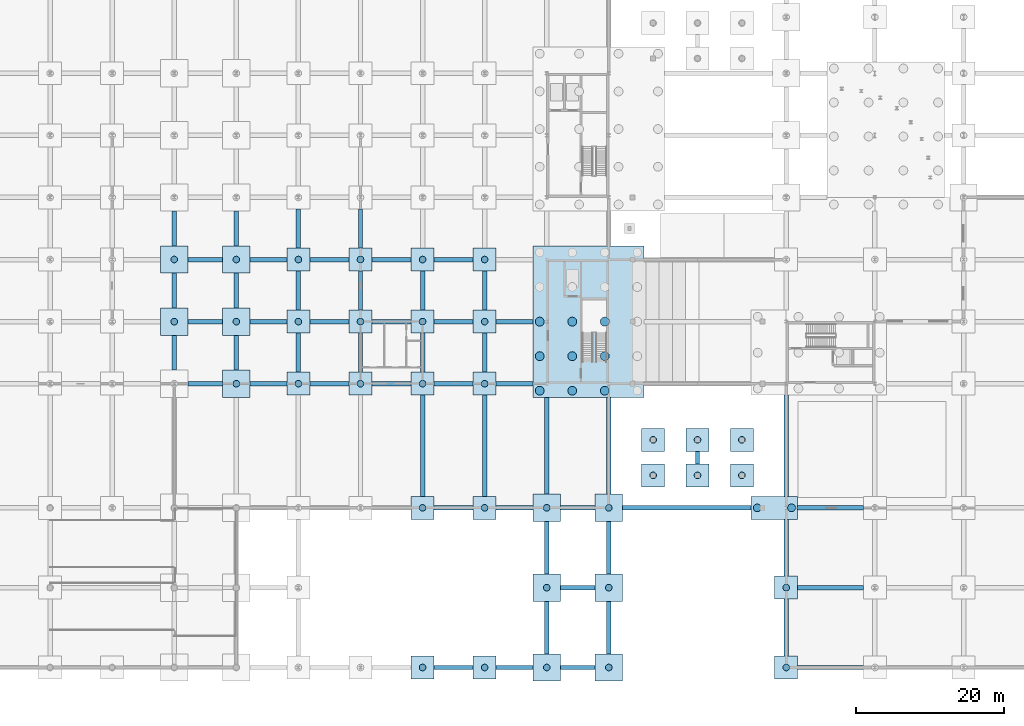
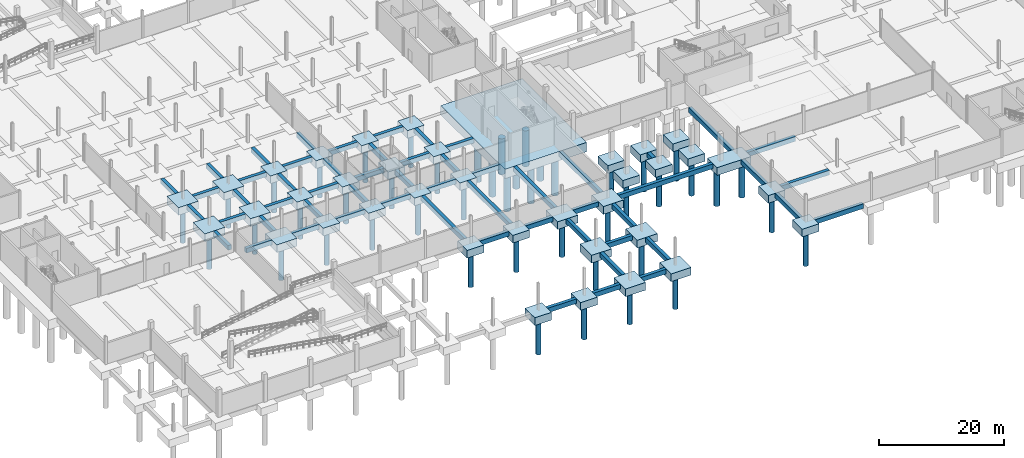
# One storey, part 2 of 36: 93 footings, 46 piles.
"""IFC4 building model written with IfcOpenShell, lengths in metres."""

from ifc_helpers import new_model, si_unit, direction, frame, origin, origin_2d, place, context, subcontext, project, spatial, rectangle, circle, extrude, material, material_profile, profile_set, type_object, element, save


model = new_model("IFC4")

# Units and contexts
model_context = context("Model", 3, precision=1e-05, world=origin(), true_north=direction((0.0, 1.0)))
body_context = subcontext(model_context, "Body", "Model", "MODEL_VIEW")
ifc_project = project(units=[si_unit("LENGTHUNIT", "METRE"), si_unit("AREAUNIT", "SQUARE_METRE"), si_unit("VOLUMEUNIT", "CUBIC_METRE"), si_unit("PLANEANGLEUNIT", "RADIAN"), si_unit("MASSUNIT", "GRAM", prefix="KILO"), si_unit("THERMODYNAMICTEMPERATUREUNIT", "KELVIN"), si_unit("POWERUNIT", "WATT")], contexts=[model_context])

# Site, building, storey
site_placement = place(None, origin())
site = spatial("IfcSite", under=ifc_project, at=site_placement, CompositionType="ELEMENT")
building_placement = place(site_placement, origin())
building = spatial("IfcBuilding", under=site, at=building_placement, Name="Tembeka Court Mobility Hub", CompositionType="ELEMENT")
storey_placement = place(building_placement, frame((0.0, 0.0, -5.39990234375)))
storey = spatial("IfcBuildingStorey", under=building, at=storey_placement, Name="B1", CompositionType="ELEMENT", Elevation=-5.39990234375)

# Footings
ifc_material = material(Name="Concrete C40/50", Category="concrete")
footing_type_1 = type_object("IfcFootingType", Name="FT-GB01", PredefinedType="FOOTING_BEAM", material=ifc_material)
footing_1_placement = place(storey_placement, frame((71.39990234375, 0.0, -0.900146484375), z_axis=(0.0, 0.0, 1.0), x_axis=(1.0, 0.0, 0.0)))
element("IfcFooting", 1, at=footing_1_placement, inside=storey, type_object=footing_type_1, Name="Ground tie beam GB01 X-009", PredefinedType="FOOTING_BEAM", context=body_context, shape_type="SweptSolid", body=[
    extrude(rectangle(XDim=5.300048828125, YDim=0.60009765625, at=origin_2d()), origin(), (0.0, 0.0, 1.0), 0.89990234375),
])
footing_2_placement = place(storey_placement, frame((79.64990234375, 0.0, -0.900146484375), z_axis=(0.0, 0.0, 1.0), x_axis=(1.0, 0.0, 0.0)))
element("IfcFooting", 2, at=footing_2_placement, inside=storey, type_object=footing_type_1, Name="Ground tie beam GB01 X-010", PredefinedType="FOOTING_BEAM", context=body_context, shape_type="SweptSolid", body=[
    extrude(rectangle(XDim=5.0, YDim=0.60009765625, at=origin_2d()), origin(), (0.0, 0.0, 1.0), 0.89990234375),
])
footing_3_placement = place(storey_placement, frame((88.199951171875, 0.0, -0.900146484375), z_axis=(0.0, 0.0, 1.0), x_axis=(1.0, 0.0, 0.0)))
element("IfcFooting", 3, at=footing_3_placement, inside=storey, type_object=footing_type_1, Name="Ground tie beam GB01 X-011", PredefinedType="FOOTING_BEAM", context=body_context, shape_type="SweptSolid", body=[
    extrude(rectangle(XDim=4.699951171875, YDim=0.60009765625, at=origin_2d()), origin(), (0.0, 0.0, 1.0), 0.89990234375),
])
footing_4_placement = place(storey_placement, frame((122.39990234375, 0.0, -0.900146484375), z_axis=(0.0, 0.0, 1.0), x_axis=(1.0, 0.0, 0.0)))
element("IfcFooting", 4, at=footing_4_placement, inside=storey, type_object=footing_type_1, Name="Ground tie beam GB01 X-012", PredefinedType="FOOTING_BEAM", context=body_context, shape_type="SweptSolid", body=[
    extrude(rectangle(XDim=8.89990234375, YDim=0.60009765625, at=origin_2d()), origin(), (0.0, 0.0, 1.0), 0.89990234375),
])
footing_5_placement = place(storey_placement, frame((88.199951171875, 10.800048828125, -0.900146484375), z_axis=(0.0, 0.0, 1.0), x_axis=(1.0, 0.0, 0.0)))
element("IfcFooting", 5, at=footing_5_placement, inside=storey, type_object=footing_type_1, Name="Ground tie beam GB01 X-021", PredefinedType="FOOTING_BEAM", context=body_context, shape_type="SweptSolid", body=[
    extrude(rectangle(XDim=4.699951171875, YDim=0.60009765625, at=origin_2d()), origin(), (0.0, 0.0, 1.0), 0.89990234375),
])
footing_6_placement = place(storey_placement, frame((122.39990234375, 10.800048828125, -0.900146484375), z_axis=(0.0, 0.0, 1.0), x_axis=(1.0, 0.0, 0.0)))
element("IfcFooting", 6, at=footing_6_placement, inside=storey, type_object=footing_type_1, Name="Ground tie beam GB01 X-022", PredefinedType="FOOTING_BEAM", context=body_context, shape_type="SweptSolid", body=[
    extrude(rectangle(XDim=8.89990234375, YDim=0.60009765625, at=origin_2d()), origin(), (0.0, 0.0, 1.0), 0.89990234375),
])
footing_7_placement = place(storey_placement, frame((71.39990234375, 21.60009765625, -0.900146484375), z_axis=(0.0, 0.0, 1.0), x_axis=(1.0, 0.0, 0.0)))
element("IfcFooting", 7, at=footing_7_placement, inside=storey, type_object=footing_type_1, Name="Ground tie beam GB01 X-034", PredefinedType="FOOTING_BEAM", context=body_context, shape_type="SweptSolid", body=[
    extrude(rectangle(XDim=5.300048828125, YDim=0.60009765625, at=origin_2d()), origin(), (0.0, 0.0, 1.0), 0.89990234375),
])
footing_8_placement = place(storey_placement, frame((79.64990234375, 21.60009765625, -0.900146484375), z_axis=(0.0, 0.0, 1.0), x_axis=(1.0, 0.0, 0.0)))
element("IfcFooting", 8, at=footing_8_placement, inside=storey, type_object=footing_type_1, Name="Ground tie beam GB01 X-035", PredefinedType="FOOTING_BEAM", context=body_context, shape_type="SweptSolid", body=[
    extrude(rectangle(XDim=5.0, YDim=0.60009765625, at=origin_2d()), origin(), (0.0, 0.0, 1.0), 0.89990234375),
])
footing_9_placement = place(storey_placement, frame((88.199951171875, 21.60009765625, -0.900146484375), z_axis=(0.0, 0.0, 1.0), x_axis=(1.0, 0.0, 0.0)))
element("IfcFooting", 9, at=footing_9_placement, inside=storey, type_object=footing_type_1, Name="Ground tie beam GB01 X-036", PredefinedType="FOOTING_BEAM", context=body_context, shape_type="SweptSolid", body=[
    extrude(rectangle(XDim=4.699951171875, YDim=0.60009765625, at=origin_2d()), origin(), (0.0, 0.0, 1.0), 0.89990234375),
])
footing_10_placement = place(storey_placement, frame((102.949951171875, 21.60009765625, -0.900146484375), z_axis=(0.0, 0.0, 1.0), x_axis=(1.0, 0.0, 0.0)))
element("IfcFooting", 10, at=footing_10_placement, inside=storey, type_object=footing_type_1, Name="Ground tie beam GB01 X-037", PredefinedType="FOOTING_BEAM", context=body_context, shape_type="SweptSolid", body=[
    extrude(rectangle(XDim=17.39990234375, YDim=0.60009765625, at=origin_2d()), origin(), (0.0, 0.0, 1.0), 0.89990234375),
])
footing_11_placement = place(storey_placement, frame((122.39990234375, 21.60009765625, -0.900146484375), z_axis=(0.0, 0.0, 1.0), x_axis=(1.0, 0.0, 0.0)))
element("IfcFooting", 11, at=footing_11_placement, inside=storey, type_object=footing_type_1, Name="Ground tie beam GB01 X-038", PredefinedType="FOOTING_BEAM", context=body_context, shape_type="SweptSolid", body=[
    extrude(rectangle(XDim=8.89990234375, YDim=0.60009765625, at=origin_2d()), origin(), (0.0, 0.0, 1.0), 0.89990234375),
])
footing_12_placement = place(storey_placement, frame((37.800048828125, 38.39990234375, -0.900146484375), z_axis=(0.0, 0.0, 1.0), x_axis=(1.0, 0.0, 0.0)))
element("IfcFooting", 12, at=footing_12_placement, inside=storey, type_object=footing_type_1, Name="Ground tie beam GB01 X-046", PredefinedType="FOOTING_BEAM", context=body_context, shape_type="SweptSolid", body=[
    extrude(rectangle(XDim=4.699951171875, YDim=0.60009765625, at=origin_2d()), origin(), (0.0, 0.0, 1.0), 0.89990234375),
])
footing_13_placement = place(storey_placement, frame((46.35009765625, 38.39990234375, -0.900146484375), z_axis=(0.0, 0.0, 1.0), x_axis=(1.0, 0.0, 0.0)))
element("IfcFooting", 13, at=footing_13_placement, inside=storey, type_object=footing_type_1, Name="Ground tie beam GB01 X-047", PredefinedType="FOOTING_BEAM", context=body_context, shape_type="SweptSolid", body=[
    extrude(rectangle(XDim=5.0, YDim=0.60009765625, at=origin_2d()), origin(), (0.0, 0.0, 1.0), 0.89990234375),
])
for number, where, z_axis, x_axis, name in (
    (14, (54.60009765625, 38.39990234375, -0.900146484375), (0.0, 0.0, 1.0), (1.0, 0.0, 0.0), "Ground tie beam GB01 X-048"),
    (15, (63.0, 38.39990234375, -0.900146484375), (0.0, 0.0, 1.0), (1.0, 0.0, 0.0), "Ground tie beam GB01 X-049"),
    (16, (71.39990234375, 38.39990234375, -0.900146484375), (0.0, 0.0, 1.0), (1.0, 0.0, 0.0), "Ground tie beam GB01 X-050"),
):
    element("IfcFooting", number, at=place(storey_placement, frame(where, z_axis=z_axis, x_axis=x_axis)), inside=storey, type_object=footing_type_1, Name=name, PredefinedType="FOOTING_BEAM", context=body_context, shape_type="SweptSolid", body=[
        extrude(rectangle(XDim=5.300048828125, YDim=0.60009765625, at=origin_2d()), origin(), (0.0, 0.0, 1.0), 0.89990234375),
    ])
footing_14_placement = place(storey_placement, frame((79.64990234375, 38.39990234375, -0.900146484375), z_axis=(0.0, 0.0, 1.0), x_axis=(1.0, 0.0, 0.0)))
element("IfcFooting", 17, at=footing_14_placement, inside=storey, type_object=footing_type_1, Name="Ground tie beam GB01 X-051", PredefinedType="FOOTING_BEAM", context=body_context, shape_type="SweptSolid", body=[
    extrude(rectangle(XDim=5.0, YDim=0.60009765625, at=origin_2d()), origin(), (0.0, 0.0, 1.0), 0.89990234375),
])
footing_15_placement = place(storey_placement, frame((37.800048828125, 46.800048828125, -0.900146484375), z_axis=(0.0, 0.0, 1.0), x_axis=(1.0, 0.0, 0.0)))
element("IfcFooting", 18, at=footing_15_placement, inside=storey, type_object=footing_type_1, Name="Ground tie beam GB01 X-060", PredefinedType="FOOTING_BEAM", context=body_context, shape_type="SweptSolid", body=[
    extrude(rectangle(XDim=4.699951171875, YDim=0.60009765625, at=origin_2d()), origin(), (0.0, 0.0, 1.0), 0.89990234375),
])
footing_16_placement = place(storey_placement, frame((46.35009765625, 46.800048828125, -0.900146484375), z_axis=(0.0, 0.0, 1.0), x_axis=(1.0, 0.0, 0.0)))
element("IfcFooting", 19, at=footing_16_placement, inside=storey, type_object=footing_type_1, Name="Ground tie beam GB01 X-061", PredefinedType="FOOTING_BEAM", context=body_context, shape_type="SweptSolid", body=[
    extrude(rectangle(XDim=5.0, YDim=0.60009765625, at=origin_2d()), origin(), (0.0, 0.0, 1.0), 0.89990234375),
])
for number, where, z_axis, x_axis, name in (
    (20, (54.60009765625, 46.800048828125, -0.900146484375), (0.0, 0.0, 1.0), (1.0, 0.0, 0.0), "Ground tie beam GB01 X-062"),
    (21, (63.0, 46.800048828125, -0.900146484375), (0.0, 0.0, 1.0), (1.0, 0.0, 0.0), "Ground tie beam GB01 X-063"),
    (22, (71.39990234375, 46.800048828125, -0.900146484375), (0.0, 0.0, 1.0), (1.0, 0.0, 0.0), "Ground tie beam GB01 X-064"),
):
    element("IfcFooting", number, at=place(storey_placement, frame(where, z_axis=z_axis, x_axis=x_axis)), inside=storey, type_object=footing_type_1, Name=name, PredefinedType="FOOTING_BEAM", context=body_context, shape_type="SweptSolid", body=[
        extrude(rectangle(XDim=5.300048828125, YDim=0.60009765625, at=origin_2d()), origin(), (0.0, 0.0, 1.0), 0.89990234375),
    ])
footing_17_placement = place(storey_placement, frame((79.64990234375, 46.800048828125, -0.900146484375), z_axis=(0.0, 0.0, 1.0), x_axis=(1.0, 0.0, 0.0)))
element("IfcFooting", 23, at=footing_17_placement, inside=storey, type_object=footing_type_1, Name="Ground tie beam GB01 X-065", PredefinedType="FOOTING_BEAM", context=body_context, shape_type="SweptSolid", body=[
    extrude(rectangle(XDim=5.0, YDim=0.60009765625, at=origin_2d()), origin(), (0.0, 0.0, 1.0), 0.89990234375),
])
footing_18_placement = place(storey_placement, frame((37.800048828125, 55.199951171875, -0.900146484375), z_axis=(0.0, 0.0, 1.0), x_axis=(1.0, 0.0, 0.0)))
element("IfcFooting", 24, at=footing_18_placement, inside=storey, type_object=footing_type_1, Name="Ground tie beam GB01 X-074", PredefinedType="FOOTING_BEAM", context=body_context, shape_type="SweptSolid", body=[
    extrude(rectangle(XDim=4.699951171875, YDim=0.60009765625, at=origin_2d()), origin(), (0.0, 0.0, 1.0), 0.89990234375),
])
footing_19_placement = place(storey_placement, frame((46.35009765625, 55.199951171875, -0.900146484375), z_axis=(0.0, 0.0, 1.0), x_axis=(1.0, 0.0, 0.0)))
element("IfcFooting", 25, at=footing_19_placement, inside=storey, type_object=footing_type_1, Name="Ground tie beam GB01 X-075", PredefinedType="FOOTING_BEAM", context=body_context, shape_type="SweptSolid", body=[
    extrude(rectangle(XDim=5.0, YDim=0.60009765625, at=origin_2d()), origin(), (0.0, 0.0, 1.0), 0.89990234375),
])
for number, where, z_axis, x_axis, name in (
    (26, (54.60009765625, 55.199951171875, -0.900146484375), (0.0, 0.0, 1.0), (1.0, 0.0, 0.0), "Ground tie beam GB01 X-076"),
    (27, (63.0, 55.199951171875, -0.900146484375), (0.0, 0.0, 1.0), (1.0, 0.0, 0.0), "Ground tie beam GB01 X-077"),
    (28, (71.39990234375, 55.199951171875, -0.900146484375), (0.0, 0.0, 1.0), (1.0, 0.0, 0.0), "Ground tie beam GB01 X-078"),
):
    element("IfcFooting", number, at=place(storey_placement, frame(where, z_axis=z_axis, x_axis=x_axis)), inside=storey, type_object=footing_type_1, Name=name, PredefinedType="FOOTING_BEAM", context=body_context, shape_type="SweptSolid", body=[
        extrude(rectangle(XDim=5.300048828125, YDim=0.60009765625, at=origin_2d()), origin(), (0.0, 0.0, 1.0), 0.89990234375),
    ])
for number, where, z_axis, x_axis, name in (
    (29, (33.60009765625, 42.60009765625, -0.900146484375), (0.0, 0.0, 1.0), (0.0, 1.0, 0.0), "Ground tie beam GB01 Y-196"),
    (30, (33.60009765625, 51.0, -0.900146484375), (0.0, 0.0, 1.0), (0.0, 1.0, 0.0), "Ground tie beam GB01 Y-197"),
    (31, (33.60009765625, 59.39990234375, -0.900146484375), (0.0, 0.0, 1.0), (0.0, 1.0, 0.0), "Ground tie beam GB01 Y-198"),
    (32, (42.0, 42.60009765625, -0.900146484375), (0.0, 0.0, 1.0), (0.0, 1.0, 0.0), "Ground tie beam GB01 Y-207"),
    (33, (42.0, 51.0, -0.900146484375), (0.0, 0.0, 1.0), (0.0, 1.0, 0.0), "Ground tie beam GB01 Y-208"),
    (34, (42.0, 59.39990234375, -0.900146484375), (0.0, 0.0, 1.0), (0.0, 1.0, 0.0), "Ground tie beam GB01 Y-209"),
):
    element("IfcFooting", number, at=place(storey_placement, frame(where, z_axis=z_axis, x_axis=x_axis)), inside=storey, type_object=footing_type_1, Name=name, PredefinedType="FOOTING_BEAM", context=body_context, shape_type="SweptSolid", body=[
        extrude(rectangle(XDim=4.699951171875, YDim=0.60009765625, at=origin_2d()), origin(), (0.0, 0.0, 1.0), 0.89990234375),
    ])
for number, where, z_axis, x_axis, name in (
    (35, (50.39990234375, 42.60009765625, -0.900146484375), (0.0, 0.0, 1.0), (0.0, 1.0, 0.0), "Ground tie beam GB01 Y-218"),
    (36, (50.39990234375, 51.0, -0.900146484375), (0.0, 0.0, 1.0), (0.0, 1.0, 0.0), "Ground tie beam GB01 Y-219"),
    (37, (50.39990234375, 59.39990234375, -0.900146484375), (0.0, 0.0, 1.0), (0.0, 1.0, 0.0), "Ground tie beam GB01 Y-220"),
    (38, (58.800048828125, 42.60009765625, -0.900146484375), (0.0, 0.0, 1.0), (0.0, 1.0, 0.0), "Ground tie beam GB01 Y-227"),
    (39, (58.800048828125, 51.0, -0.900146484375), (0.0, 0.0, 1.0), (0.0, 1.0, 0.0), "Ground tie beam GB01 Y-228"),
    (40, (58.800048828125, 59.39990234375, -0.900146484375), (0.0, 0.0, 1.0), (0.0, 1.0, 0.0), "Ground tie beam GB01 Y-229"),
):
    element("IfcFooting", number, at=place(storey_placement, frame(where, z_axis=z_axis, x_axis=x_axis)), inside=storey, type_object=footing_type_1, Name=name, PredefinedType="FOOTING_BEAM", context=body_context, shape_type="SweptSolid", body=[
        extrude(rectangle(XDim=5.300048828125, YDim=0.60009765625, at=origin_2d()), origin(), (0.0, 0.0, 1.0), 0.89990234375),
    ])
footing_20_placement = place(storey_placement, frame((67.199951171875, 30.0, -0.900146484375), z_axis=(0.0, 0.0, 1.0), x_axis=(0.0, 1.0, 0.0)))
element("IfcFooting", 41, at=footing_20_placement, inside=storey, type_object=footing_type_1, Name="Ground tie beam GB01 Y-233", PredefinedType="FOOTING_BEAM", context=body_context, shape_type="SweptSolid", body=[
    extrude(rectangle(XDim=13.699951171875, YDim=0.60009765625, at=origin_2d()), origin(), (0.0, 0.0, 1.0), 0.89990234375),
])
for number, where, z_axis, x_axis, name in (
    (42, (67.199951171875, 42.60009765625, -0.900146484375), (0.0, 0.0, 1.0), (0.0, 1.0, 0.0), "Ground tie beam GB01 Y-234"),
    (43, (67.199951171875, 51.0, -0.900146484375), (0.0, 0.0, 1.0), (0.0, 1.0, 0.0), "Ground tie beam GB01 Y-235"),
):
    element("IfcFooting", number, at=place(storey_placement, frame(where, z_axis=z_axis, x_axis=x_axis)), inside=storey, type_object=footing_type_1, Name=name, PredefinedType="FOOTING_BEAM", context=body_context, shape_type="SweptSolid", body=[
        extrude(rectangle(XDim=5.300048828125, YDim=0.60009765625, at=origin_2d()), origin(), (0.0, 0.0, 1.0), 0.89990234375),
    ])
footing_21_placement = place(storey_placement, frame((75.60009765625, 30.0, -0.900146484375), z_axis=(0.0, 0.0, 1.0), x_axis=(0.0, 1.0, 0.0)))
element("IfcFooting", 44, at=footing_21_placement, inside=storey, type_object=footing_type_1, Name="Ground tie beam GB01 Y-240", PredefinedType="FOOTING_BEAM", context=body_context, shape_type="SweptSolid", body=[
    extrude(rectangle(XDim=13.699951171875, YDim=0.60009765625, at=origin_2d()), origin(), (0.0, 0.0, 1.0), 0.89990234375),
])
for number, where, z_axis, x_axis, name in (
    (45, (75.60009765625, 42.60009765625, -0.900146484375), (0.0, 0.0, 1.0), (0.0, 1.0, 0.0), "Ground tie beam GB01 Y-241"),
    (46, (75.60009765625, 51.0, -0.900146484375), (0.0, 0.0, 1.0), (0.0, 1.0, 0.0), "Ground tie beam GB01 Y-242"),
):
    element("IfcFooting", number, at=place(storey_placement, frame(where, z_axis=z_axis, x_axis=x_axis)), inside=storey, type_object=footing_type_1, Name=name, PredefinedType="FOOTING_BEAM", context=body_context, shape_type="SweptSolid", body=[
        extrude(rectangle(XDim=5.300048828125, YDim=0.60009765625, at=origin_2d()), origin(), (0.0, 0.0, 1.0), 0.89990234375),
    ])
for number, where, z_axis, x_axis, name in (
    (47, (84.0, 5.39990234375, -0.900146484375), (0.0, 0.0, 1.0), (0.0, 1.0, 0.0), "Ground tie beam GB01 Y-247"),
    (48, (84.0, 16.199951171875, -0.900146484375), (0.0, 0.0, 1.0), (0.0, 1.0, 0.0), "Ground tie beam GB01 Y-248"),
):
    element("IfcFooting", number, at=place(storey_placement, frame(where, z_axis=z_axis, x_axis=x_axis)), inside=storey, type_object=footing_type_1, Name=name, PredefinedType="FOOTING_BEAM", context=body_context, shape_type="SweptSolid", body=[
        extrude(rectangle(XDim=7.10009765625, YDim=0.60009765625, at=origin_2d()), origin(), (0.0, 0.0, 1.0), 0.89990234375),
    ])
footing_22_placement = place(storey_placement, frame((84.0, 30.0, -0.900146484375), z_axis=(0.0, 0.0, 1.0), x_axis=(0.0, 1.0, 0.0)))
element("IfcFooting", 49, at=footing_22_placement, inside=storey, type_object=footing_type_1, Name="Ground tie beam GB01 Y-249", PredefinedType="FOOTING_BEAM", context=body_context, shape_type="SweptSolid", body=[
    extrude(rectangle(XDim=13.10009765625, YDim=0.60009765625, at=origin_2d()), origin(), (0.0, 0.0, 1.0), 0.89990234375),
])
for number, where, z_axis, x_axis, name in (
    (50, (92.39990234375, 5.39990234375, -0.900146484375), (0.0, 0.0, 1.0), (0.0, 1.0, 0.0), "Ground tie beam GB01 Y-254"),
    (51, (92.39990234375, 16.199951171875, -0.900146484375), (0.0, 0.0, 1.0), (0.0, 1.0, 0.0), "Ground tie beam GB01 Y-255"),
):
    element("IfcFooting", number, at=place(storey_placement, frame(where, z_axis=z_axis, x_axis=x_axis)), inside=storey, type_object=footing_type_1, Name=name, PredefinedType="FOOTING_BEAM", context=body_context, shape_type="SweptSolid", body=[
        extrude(rectangle(XDim=7.10009765625, YDim=0.60009765625, at=origin_2d()), origin(), (0.0, 0.0, 1.0), 0.89990234375),
    ])
footing_23_placement = place(storey_placement, frame((92.39990234375, 30.0, -0.900146484375), z_axis=(0.0, 0.0, 1.0), x_axis=(0.0, 1.0, 0.0)))
element("IfcFooting", 52, at=footing_23_placement, inside=storey, type_object=footing_type_1, Name="Ground tie beam GB01 Y-256", PredefinedType="FOOTING_BEAM", context=body_context, shape_type="SweptSolid", body=[
    extrude(rectangle(XDim=13.10009765625, YDim=0.60009765625, at=origin_2d()), origin(), (0.0, 0.0, 1.0), 0.89990234375),
])
footing_24_placement = place(storey_placement, frame((104.39990234375, 28.39990234375, -0.900146484375), z_axis=(0.0, 0.0, 1.0), x_axis=(0.0, 1.0, 0.0)))
element("IfcFooting", 53, at=footing_24_placement, inside=storey, type_object=footing_type_1, Name="Ground tie beam GB01 Y-261", PredefinedType="FOOTING_BEAM", context=body_context, shape_type="SweptSolid", body=[
    extrude(rectangle(XDim=1.699951171875, YDim=0.60009765625, at=origin_2d()), origin(), (0.0, 0.0, 1.0), 0.89990234375),
])
for number, where, z_axis, x_axis, name in (
    (54, (116.39990234375, 5.39990234375, -0.900146484375), (0.0, 0.0, 1.0), (0.0, 1.0, 0.0), "Ground tie beam GB01 Y-263"),
    (55, (116.39990234375, 16.199951171875, -0.900146484375), (0.0, 0.0, 1.0), (0.0, 1.0, 0.0), "Ground tie beam GB01 Y-264"),
):
    element("IfcFooting", number, at=place(storey_placement, frame(where, z_axis=z_axis, x_axis=x_axis)), inside=storey, type_object=footing_type_1, Name=name, PredefinedType="FOOTING_BEAM", context=body_context, shape_type="SweptSolid", body=[
        extrude(rectangle(XDim=7.699951171875, YDim=0.60009765625, at=origin_2d()), origin(), (0.0, 0.0, 1.0), 0.89990234375),
    ])
footing_25_placement = place(storey_placement, frame((116.39990234375, 30.0, -0.900146484375), z_axis=(0.0, 0.0, 1.0), x_axis=(0.0, 1.0, 0.0)))
element("IfcFooting", 56, at=footing_25_placement, inside=storey, type_object=footing_type_1, Name="Ground tie beam GB01 Y-265", PredefinedType="FOOTING_BEAM", context=body_context, shape_type="SweptSolid", body=[
    extrude(rectangle(XDim=13.699951171875, YDim=0.60009765625, at=origin_2d()), origin(), (0.0, 0.0, 1.0), 0.89990234375),
])
footing_type_2 = type_object("IfcFootingType", Name="FT-PC01", PredefinedType="PILE_CAP", material=ifc_material)
for number, where, z_axis, x_axis, name in (
    (57, (33.60009765625, 46.800048828125, -1.5), (0.0, 0.0, 1.0), (1.0, 0.0, 0.0), "Pile cap PC01 (41)"),
    (58, (33.60009765625, 55.199951171875, -1.5), (0.0, 0.0, 1.0), (1.0, 0.0, 0.0), "Pile cap PC01 (42)"),
    (59, (42.0, 38.39990234375, -1.5), (0.0, 0.0, 1.0), (1.0, 0.0, 0.0), "Pile cap PC01 (52)"),
    (60, (42.0, 46.800048828125, -1.5), (0.0, 0.0, 1.0), (1.0, 0.0, 0.0), "Pile cap PC01 (53)"),
    (61, (42.0, 55.199951171875, -1.5), (0.0, 0.0, 1.0), (1.0, 0.0, 0.0), "Pile cap PC01 (54)"),
    (62, (84.0, 0.0, -1.5), (0.0, 0.0, 1.0), (1.0, 0.0, 0.0), "Pile cap PC01 (103)"),
    (63, (84.0, 10.800048828125, -1.5), (0.0, 0.0, 1.0), (1.0, 0.0, 0.0), "Pile cap PC01 (104)"),
    (64, (84.0, 21.60009765625, -1.5), (0.0, 0.0, 1.0), (1.0, 0.0, 0.0), "Pile cap PC01 (105)"),
    (65, (92.39990234375, 0.0, -1.5), (0.0, 0.0, 1.0), (1.0, 0.0, 0.0), "Pile cap PC01 (111)"),
    (66, (92.39990234375, 10.800048828125, -1.5), (0.0, 0.0, 1.0), (1.0, 0.0, 0.0), "Pile cap PC01 (112)"),
    (67, (92.39990234375, 21.60009765625, -1.5), (0.0, 0.0, 1.0), (1.0, 0.0, 0.0), "Pile cap PC01 (113)"),
):
    element("IfcFooting", number, at=place(storey_placement, frame(where, z_axis=z_axis, x_axis=x_axis)), inside=storey, type_object=footing_type_2, Name=name, PredefinedType="PILE_CAP", context=body_context, shape_type="SweptSolid", body=[
        extrude(rectangle(XDim=3.699951171875, YDim=3.699951171875, at=origin_2d()), origin(), (0.0, 0.0, 1.0), 1.5),
    ])
footing_type_3 = type_object("IfcFootingType", Name="FT-PC03", PredefinedType="PILE_CAP", material=ifc_material)
for number, where, z_axis, x_axis, name in (
    (68, (50.39990234375, 38.39990234375, -1.5), (0.0, 0.0, 1.0), (1.0, 0.0, 0.0), "Pile cap PC03 (64)"),
    (69, (50.39990234375, 46.800048828125, -1.5), (0.0, 0.0, 1.0), (1.0, 0.0, 0.0), "Pile cap PC03 (65)"),
    (70, (50.39990234375, 55.199951171875, -1.5), (0.0, 0.0, 1.0), (1.0, 0.0, 0.0), "Pile cap PC03 (66)"),
    (71, (58.800048828125, 38.39990234375, -1.5), (0.0, 0.0, 1.0), (1.0, 0.0, 0.0), "Pile cap PC03 (75)"),
    (72, (58.800048828125, 46.800048828125, -1.5), (0.0, 0.0, 1.0), (1.0, 0.0, 0.0), "Pile cap PC03 (76)"),
    (73, (58.800048828125, 55.199951171875, -1.5), (0.0, 0.0, 1.0), (1.0, 0.0, 0.0), "Pile cap PC03 (77)"),
    (74, (67.199951171875, 0.0, -1.5), (0.0, 0.0, 1.0), (1.0, 0.0, 0.0), "Pile cap PC03 (83)"),
    (75, (67.199951171875, 21.60009765625, -1.5), (0.0, 0.0, 1.0), (1.0, 0.0, 0.0), "Pile cap PC03 (84)"),
    (76, (67.199951171875, 38.39990234375, -1.5), (0.0, 0.0, 1.0), (1.0, 0.0, 0.0), "Pile cap PC03 (85)"),
    (77, (67.199951171875, 46.800048828125, -1.5), (0.0, 0.0, 1.0), (1.0, 0.0, 0.0), "Pile cap PC03 (86)"),
    (78, (67.199951171875, 55.199951171875, -1.5), (0.0, 0.0, 1.0), (1.0, 0.0, 0.0), "Pile cap PC03 (87)"),
    (79, (75.60009765625, 0.0, -1.5), (0.0, 0.0, 1.0), (1.0, 0.0, 0.0), "Pile cap PC03 (93)"),
    (80, (75.60009765625, 21.60009765625, -1.5), (0.0, 0.0, 1.0), (1.0, 0.0, 0.0), "Pile cap PC03 (94)"),
    (81, (75.60009765625, 38.39990234375, -1.5), (0.0, 0.0, 1.0), (1.0, 0.0, 0.0), "Pile cap PC03 (95)"),
    (82, (75.60009765625, 46.800048828125, -1.5), (0.0, 0.0, 1.0), (1.0, 0.0, 0.0), "Pile cap PC03 (96)"),
    (83, (75.60009765625, 55.199951171875, -1.5), (0.0, 0.0, 1.0), (1.0, 0.0, 0.0), "Pile cap PC03 (97)"),
    (84, (98.39990234375, 26.0, -1.5), (0.0, 0.0, 1.0), (1.0, 0.0, 0.0), "Pile cap PC03 (117)"),
    (85, (98.39990234375, 30.800048828125, -1.5), (0.0, 0.0, 1.0), (1.0, 0.0, 0.0), "Pile cap PC03 (118)"),
    (86, (104.39990234375, 26.0, -1.5), (0.0, 0.0, 1.0), (1.0, 0.0, 0.0), "Pile cap PC03 (120)"),
    (87, (104.39990234375, 30.800048828125, -1.5), (0.0, 0.0, 1.0), (1.0, 0.0, 0.0), "Pile cap PC03 (121)"),
    (88, (110.39990234375, 26.0, -1.5), (0.0, 0.0, 1.0), (1.0, 0.0, 0.0), "Pile cap PC03 (124)"),
    (89, (110.39990234375, 30.800048828125, -1.5), (0.0, 0.0, 1.0), (1.0, 0.0, 0.0), "Pile cap PC03 (125)"),
    (90, (116.39990234375, 0.0, -1.5), (0.0, 0.0, 1.0), (1.0, 0.0, 0.0), "Pile cap PC03 (137)"),
    (91, (116.39990234375, 10.800048828125, -1.5), (0.0, 0.0, 1.0), (1.0, 0.0, 0.0), "Pile cap PC03 (138)"),
):
    element("IfcFooting", number, at=place(storey_placement, frame(where, z_axis=z_axis, x_axis=x_axis)), inside=storey, type_object=footing_type_3, Name=name, PredefinedType="PILE_CAP", context=body_context, shape_type="SweptSolid", body=[
        extrude(rectangle(XDim=3.10009765625, YDim=3.10009765625, at=origin_2d()), origin(), (0.0, 0.0, 1.0), 1.5),
    ])
footing_type_4 = type_object("IfcFootingType", Name="FT-PC04", PredefinedType="PILE_CAP", material=ifc_material)
footing_26_placement = place(storey_placement, frame((89.64990234375, 46.800048828125, -1.80029296875), z_axis=(0.0, 0.0, 1.0), x_axis=(0.0, 1.0, 0.0)))
element("IfcFooting", 92, at=footing_26_placement, inside=storey, type_object=footing_type_4, Name="Pile cap PC04 (106)", PredefinedType="PILE_CAP", context=body_context, shape_type="SweptSolid", body=[
    extrude(rectangle(XDim=20.5, YDim=15.0, at=origin_2d()), origin(), (0.0, 0.0, 1.0), 1.800048828125),
])
footing_type_5 = type_object("IfcFootingType", Name="FT-PC06", PredefinedType="PILE_CAP", material=ifc_material)
footing_27_placement = place(storey_placement, frame((114.800048828125, 21.60009765625, -1.5), z_axis=(0.0, 0.0, 1.0), x_axis=(1.0, 0.0, 0.0)))
element("IfcFooting", 93, at=footing_27_placement, inside=storey, type_object=footing_type_5, Name="Pile cap PC06 (128)", PredefinedType="PILE_CAP", context=body_context, shape_type="SweptSolid", body=[
    extrude(rectangle(XDim=6.300048828125, YDim=3.10009765625, at=origin_2d()), origin(), (0.0, 0.0, 1.0), 1.5),
])

# Piles
ifc_material_profile_1 = material_profile(ifc_material, circle(Radius=0.449951171875, at=origin_2d()), Name="PILE D900")
ifc_profile_set_1 = profile_set([ifc_material_profile_1], Name="Concrete C40/50")
pile_type_1 = type_object("IfcPileType", Name="PILE-P02", PredefinedType="BORED", material=ifc_profile_set_1)
for number, where, z_axis, x_axis, name in (
    (94, (33.60009765625, 46.800048828125, -1.400146484375), (0.0, 0.0, -1.0), (1.0, 0.0, 0.0), "Bored pile P02 under CAP-041"),
    (95, (33.60009765625, 55.199951171875, -1.400146484375), (0.0, 0.0, -1.0), (1.0, 0.0, 0.0), "Bored pile P02 under CAP-042"),
    (96, (42.0, 38.39990234375, -1.400146484375), (0.0, 0.0, -1.0), (1.0, 0.0, 0.0), "Bored pile P02 under CAP-052"),
    (97, (42.0, 46.800048828125, -1.400146484375), (0.0, 0.0, -1.0), (1.0, 0.0, 0.0), "Bored pile P02 under CAP-053"),
    (98, (42.0, 55.199951171875, -1.400146484375), (0.0, 0.0, -1.0), (1.0, 0.0, 0.0), "Bored pile P02 under CAP-054"),
    (99, (50.39990234375, 38.39990234375, -1.400146484375), (0.0, 0.0, -1.0), (1.0, 0.0, 0.0), "Bored pile P02 under CAP-064"),
    (100, (50.39990234375, 46.800048828125, -1.400146484375), (0.0, 0.0, -1.0), (1.0, 0.0, 0.0), "Bored pile P02 under CAP-065"),
    (101, (50.39990234375, 55.199951171875, -1.400146484375), (0.0, 0.0, -1.0), (1.0, 0.0, 0.0), "Bored pile P02 under CAP-066"),
    (102, (58.800048828125, 38.39990234375, -1.400146484375), (0.0, 0.0, -1.0), (1.0, 0.0, 0.0), "Bored pile P02 under CAP-075"),
    (103, (58.800048828125, 46.800048828125, -1.400146484375), (0.0, 0.0, -1.0), (1.0, 0.0, 0.0), "Bored pile P02 under CAP-076"),
    (104, (58.800048828125, 55.199951171875, -1.400146484375), (0.0, 0.0, -1.0), (1.0, 0.0, 0.0), "Bored pile P02 under CAP-077"),
    (105, (67.199951171875, 0.0, -1.400146484375), (0.0, 0.0, -1.0), (1.0, 0.0, 0.0), "Bored pile P02 under CAP-083"),
    (106, (67.199951171875, 21.60009765625, -1.400146484375), (0.0, 0.0, -1.0), (1.0, 0.0, 0.0), "Bored pile P02 under CAP-084"),
    (107, (67.199951171875, 38.39990234375, -1.400146484375), (0.0, 0.0, -1.0), (1.0, 0.0, 0.0), "Bored pile P02 under CAP-085"),
    (108, (67.199951171875, 46.800048828125, -1.400146484375), (0.0, 0.0, -1.0), (1.0, 0.0, 0.0), "Bored pile P02 under CAP-086"),
    (109, (67.199951171875, 55.199951171875, -1.400146484375), (0.0, 0.0, -1.0), (1.0, 0.0, 0.0), "Bored pile P02 under CAP-087"),
    (110, (75.60009765625, 0.0, -1.400146484375), (0.0, 0.0, -1.0), (1.0, 0.0, 0.0), "Bored pile P02 under CAP-093"),
    (111, (75.60009765625, 21.60009765625, -1.400146484375), (0.0, 0.0, -1.0), (1.0, 0.0, 0.0), "Bored pile P02 under CAP-094"),
    (112, (75.60009765625, 38.39990234375, -1.400146484375), (0.0, 0.0, -1.0), (1.0, 0.0, 0.0), "Bored pile P02 under CAP-095"),
    (113, (75.60009765625, 46.800048828125, -1.400146484375), (0.0, 0.0, -1.0), (1.0, 0.0, 0.0), "Bored pile P02 under CAP-096"),
    (114, (75.60009765625, 55.199951171875, -1.400146484375), (0.0, 0.0, -1.0), (1.0, 0.0, 0.0), "Bored pile P02 under CAP-097"),
    (115, (84.0, 0.0, -1.400146484375), (0.0, 0.0, -1.0), (1.0, 0.0, 0.0), "Bored pile P02 under CAP-103"),
    (116, (84.0, 10.800048828125, -1.400146484375), (0.0, 0.0, -1.0), (1.0, 0.0, 0.0), "Bored pile P02 under CAP-104"),
    (117, (84.0, 21.60009765625, -1.400146484375), (0.0, 0.0, -1.0), (1.0, 0.0, 0.0), "Bored pile P02 under CAP-105"),
    (118, (92.39990234375, 0.0, -1.400146484375), (0.0, 0.0, -1.0), (1.0, 0.0, 0.0), "Bored pile P02 under CAP-111"),
    (119, (92.39990234375, 10.800048828125, -1.400146484375), (0.0, 0.0, -1.0), (1.0, 0.0, 0.0), "Bored pile P02 under CAP-112"),
    (120, (92.39990234375, 21.60009765625, -1.400146484375), (0.0, 0.0, -1.0), (1.0, 0.0, 0.0), "Bored pile P02 under CAP-113"),
    (121, (98.39990234375, 26.0, -1.400146484375), (0.0, 0.0, -1.0), (1.0, 0.0, 0.0), "Bored pile P02 under CAP-117"),
    (122, (98.39990234375, 30.800048828125, -1.400146484375), (0.0, 0.0, -1.0), (1.0, 0.0, 0.0), "Bored pile P02 under CAP-118"),
    (123, (104.39990234375, 26.0, -1.400146484375), (0.0, 0.0, -1.0), (1.0, 0.0, 0.0), "Bored pile P02 under CAP-120"),
    (124, (104.39990234375, 30.800048828125, -1.400146484375), (0.0, 0.0, -1.0), (1.0, 0.0, 0.0), "Bored pile P02 under CAP-121"),
    (125, (110.39990234375, 26.0, -1.400146484375), (0.0, 0.0, -1.0), (1.0, 0.0, 0.0), "Bored pile P02 under CAP-124"),
    (126, (110.39990234375, 30.800048828125, -1.400146484375), (0.0, 0.0, -1.0), (1.0, 0.0, 0.0), "Bored pile P02 under CAP-125"),
    (127, (116.39990234375, 0.0, -1.400146484375), (0.0, 0.0, -1.0), (1.0, 0.0, 0.0), "Bored pile P02 under CAP-137"),
    (128, (116.39990234375, 10.800048828125, -1.400146484375), (0.0, 0.0, -1.0), (1.0, 0.0, 0.0), "Bored pile P02 under CAP-138"),
):
    element("IfcPile", number, at=place(storey_placement, frame(where, z_axis=z_axis, x_axis=x_axis)), inside=storey, type_object=pile_type_1, Name=name, PredefinedType="BORED", context=body_context, shape_type="SweptSolid", body=[
        extrude(circle(Radius=0.449951171875, at=origin_2d()), origin(), (0.0, 0.0, 1.0), 7.0),
    ])
ifc_material_profile_2 = material_profile(ifc_material, circle(Radius=0.52490234375, at=origin_2d()), Name="PILE D1050")
ifc_profile_set_2 = profile_set([ifc_material_profile_2], Name="Concrete C40/50")
pile_type_2 = type_object("IfcPileType", Name="PILE-P03", PredefinedType="BORED", material=ifc_profile_set_2)
for number, where, z_axis, x_axis, name in (
    (129, (112.47509765625, 21.60009765625, -1.400146484375), (0.0, 0.0, -1.0), (1.0, 0.0, 0.0), "Bored pile P03 under CAP-128"),
    (130, (117.125, 21.60009765625, -1.400146484375), (0.0, 0.0, -1.0), (1.0, 0.0, 0.0), "Bored pile P03 under CAP-128"),
):
    element("IfcPile", number, at=place(storey_placement, frame(where, z_axis=z_axis, x_axis=x_axis)), inside=storey, type_object=pile_type_2, Name=name, PredefinedType="BORED", context=body_context, shape_type="SweptSolid", body=[
        extrude(circle(Radius=0.52490234375, at=origin_2d()), origin(), (0.0, 0.0, 1.0), 7.0),
    ])
ifc_material_profile_3 = material_profile(ifc_material, circle(Radius=0.60009765625, at=origin_2d()), Name="PILE D1200")
ifc_profile_set_3 = profile_set([ifc_material_profile_3], Name="Concrete C40/50")
pile_type_3 = type_object("IfcPileType", Name="PILE-P04", PredefinedType="BORED", material=ifc_profile_set_3)
for number, where, z_axis, x_axis, name in (
    (131, (83.050048828125, 37.449951171875, -1.7001953125), (0.0, 0.0, -1.0), (1.0, 0.0, 0.0), "Bored pile P04 under CAP-106"),
    (132, (83.050048828125, 42.125, -1.7001953125), (0.0, 0.0, -1.0), (1.0, 0.0, 0.0), "Bored pile P04 under CAP-106"),
    (133, (83.050048828125, 46.800048828125, -1.7001953125), (0.0, 0.0, -1.0), (1.0, 0.0, 0.0), "Bored pile P04 under CAP-106"),
    (134, (87.449951171875, 37.449951171875, -1.7001953125), (0.0, 0.0, -1.0), (1.0, 0.0, 0.0), "Bored pile P04 under CAP-106"),
    (135, (87.449951171875, 42.125, -1.7001953125), (0.0, 0.0, -1.0), (1.0, 0.0, 0.0), "Bored pile P04 under CAP-106"),
    (136, (87.449951171875, 46.800048828125, -1.7001953125), (0.0, 0.0, -1.0), (1.0, 0.0, 0.0), "Bored pile P04 under CAP-106"),
    (137, (91.85009765625, 37.449951171875, -1.7001953125), (0.0, 0.0, -1.0), (1.0, 0.0, 0.0), "Bored pile P04 under CAP-106"),
    (138, (91.85009765625, 42.125, -1.7001953125), (0.0, 0.0, -1.0), (1.0, 0.0, 0.0), "Bored pile P04 under CAP-106"),
    (139, (91.85009765625, 46.800048828125, -1.7001953125), (0.0, 0.0, -1.0), (1.0, 0.0, 0.0), "Bored pile P04 under CAP-106"),
):
    element("IfcPile", number, at=place(storey_placement, frame(where, z_axis=z_axis, x_axis=x_axis)), inside=storey, type_object=pile_type_3, Name=name, PredefinedType="BORED", context=body_context, shape_type="SweptSolid", body=[
        extrude(circle(Radius=0.60009765625, at=origin_2d()), origin(), (0.0, 0.0, 1.0), 7.0),
    ])

save(model, "model.ifc")
